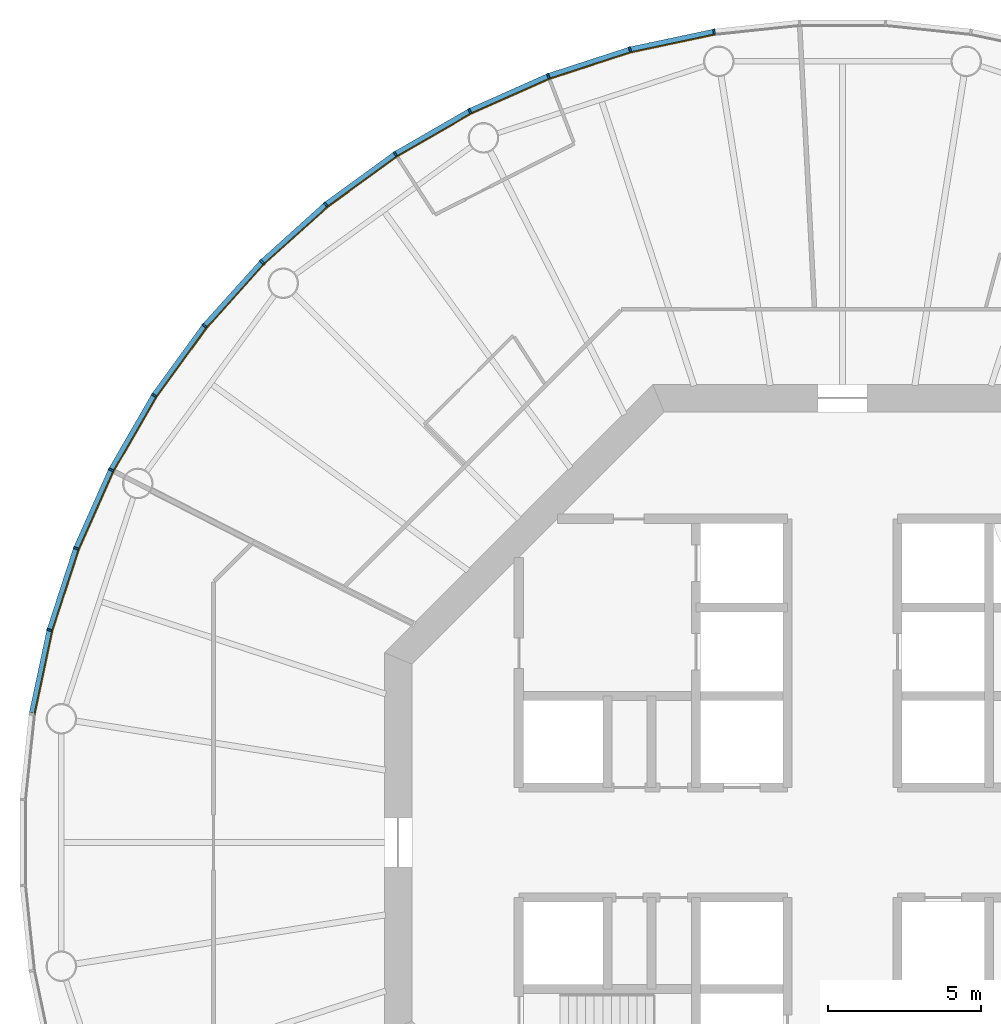
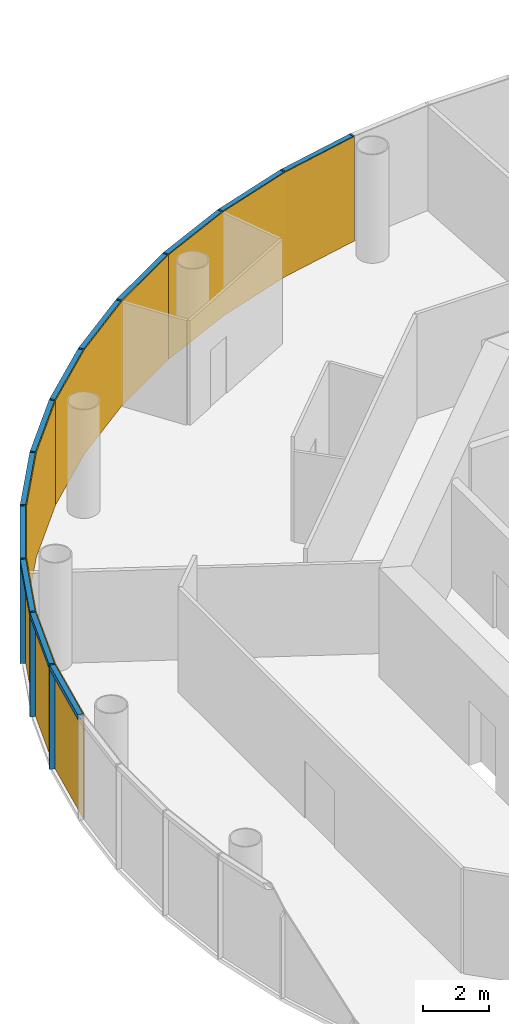
# One storey, part 9 of 12: 24 members, 4 curtain walls.
"""IFC4 building model written with IfcOpenShell, lengths in metres."""

import ifcopenshell
import ifcopenshell.guid

model = None  # the IFC model being written
_history = None  # IfcOwnerHistory: only IFC2X3 demands one
_inside = {}  # id of a spatial element -> (the spatial element, [elements in it])
_under = {}  # id of a project, library or spatial element -> (it, [spatial elements below it])
_declared = {}  # id of a project -> (the project, [libraries it declares])
_typed = {}  # id of a type object -> (the type object, [elements of that type])
_made_of = {}  # id of a material, layer set ... -> (it, [elements and type objects made of it])


def new_model(schema):
    """Start an empty IFC model of exactly this schema.

    Asked for "IFC4X3", IfcOpenShell would pick the latest addendum, in which some entities
    have other attributes; the version numbers below select the first issue.
    IFC2X3 requires an IfcOwnerHistory on every rooted entity: one is made here for all.
    """
    global model, _history
    if schema == "IFC4X3":
        model = ifcopenshell.file(schema_version=(4, 3, 0, 0))
    else:
        model = ifcopenshell.file(schema=schema)
    _inside.clear()
    _under.clear()
    _declared.clear()
    _typed.clear()
    _made_of.clear()
    _history = None
    if model.schema == "IFC2X3":
        org = make("IfcOrganization", Name="unknown")
        user = make(
            "IfcPersonAndOrganization",
            ThePerson=make("IfcPerson", FamilyName="unknown"),
            TheOrganization=org,
        )
        app = make(
            "IfcApplication",
            ApplicationDeveloper=org,
            Version="unknown",
            ApplicationFullName="unknown",
            ApplicationIdentifier="unknown",
        )
        _history = make(
            "IfcOwnerHistory",
            OwningUser=user,
            OwningApplication=app,
            ChangeAction="ADDED",
            CreationDate=0,
        )
    return model


def make(cls, **values):
    """One entity of the class cls with the attributes given. An attribute that is None is left unset."""
    return model.create_entity(
        cls, **{name: value for name, value in values.items() if value is not None}
    )


def rooted(cls, **values):
    """An entity with a GlobalId (a new one), such as an element, a storey or a relation."""
    return make(cls, GlobalId=ifcopenshell.guid.new(), OwnerHistory=_history, **values)


def si_unit(unit_type, name, prefix=None):
    """IfcSIUnit, for example si_unit("LENGTHUNIT", "METRE", prefix="MILLI")."""
    return make("IfcSIUnit", UnitType=unit_type, Prefix=prefix, Name=name)


def assignment(units):
    """IfcUnitAssignment: the units of a project."""
    return None if units is None else make("IfcUnitAssignment", Units=units)


def point(xyz):
    """IfcCartesianPoint."""
    return None if xyz is None else make("IfcCartesianPoint", Coordinates=xyz)


def direction(xyz):
    """IfcDirection."""
    return None if xyz is None else make("IfcDirection", DirectionRatios=xyz)


def frame(location, z_axis=None, x_axis=None):
    """IfcAxis2Placement3D, a coordinate frame: its origin and axes. An axis left out is left unset."""
    return make(
        "IfcAxis2Placement3D",
        Location=point(location),
        Axis=direction(z_axis),
        RefDirection=direction(x_axis),
    )


def frame_2d(location, x_axis=None):
    """IfcAxis2Placement2D, a coordinate frame in the plane: its origin and x axis."""
    return make(
        "IfcAxis2Placement2D", Location=point(location), RefDirection=direction(x_axis)
    )


def origin():
    """The frame at (0, 0, 0) with its axes left unset."""
    return frame((0.0, 0.0, 0.0))


def origin_2d():
    """The frame at (0, 0) in the plane with its x axis left unset."""
    return frame_2d((0.0, 0.0))


def place(relative_to, where):
    """IfcLocalPlacement: puts the frame where relative to a parent placement (None: the world)."""
    return make(
        "IfcLocalPlacement", PlacementRelTo=relative_to, RelativePlacement=where
    )


def context(
    kind, dimensions, precision=None, world=None, true_north=None, identifier=None
):
    """IfcGeometricRepresentationContext, for example the 3D "Model" context."""
    return make(
        "IfcGeometricRepresentationContext",
        ContextIdentifier=identifier,
        ContextType=kind,
        CoordinateSpaceDimension=dimensions,
        Precision=precision,
        WorldCoordinateSystem=world,
        TrueNorth=true_north,
    )


def subcontext(parent, identifier, kind, view, scale=None):
    """IfcGeometricRepresentationSubContext, for example "Body" below "Model"."""
    return make(
        "IfcGeometricRepresentationSubContext",
        ContextIdentifier=identifier,
        ContextType=kind,
        ParentContext=parent,
        TargetScale=scale,
        TargetView=view,
    )


def project(units=None, contexts=None):
    """IfcProject with its units and contexts."""
    return rooted(
        "IfcProject",
        Name="project",
        RepresentationContexts=contexts,
        UnitsInContext=assignment(units),
    )


def spatial(cls, under=None, at=None, **own):
    """A site, building, storey or space (cls), placed at a placement, below another one or the project."""
    s = rooted(cls, ObjectPlacement=at, **own)
    if under is not None:
        _under.setdefault(under.id(), (under, []))[1].append(s)
    return s


def polyline(points):
    """IfcPolyline through the points."""
    return make("IfcPolyline", Points=[point(p) for p in points])


def profile(cls, at=None, kind="AREA", **sizes):
    """A parametric profile (cls). Its sizes go by their IFC names, for example OverallWidth=200.0."""
    return make(cls, ProfileType=kind, Position=at, **sizes)


def rectangle(**sizes):
    """IfcRectangleProfileDef."""
    return profile("IfcRectangleProfileDef", **sizes)


def outline(outer, holes=None, kind="AREA"):
    """IfcArbitraryClosedProfileDef: a profile drawn as a closed curve; with holes, ...WithVoids."""
    if holes is None:
        return make("IfcArbitraryClosedProfileDef", ProfileType=kind, OuterCurve=outer)
    return make(
        "IfcArbitraryProfileDefWithVoids",
        ProfileType=kind,
        OuterCurve=outer,
        InnerCurves=holes,
    )


def extrude(swept, where, along, depth):
    """IfcExtrudedAreaSolid: the profile swept, set in the frame where, extruded along a direction by depth."""
    return make(
        "IfcExtrudedAreaSolid",
        SweptArea=swept,
        Position=where,
        ExtrudedDirection=direction(along),
        Depth=depth,
    )


def shape(context_of_items, identifier, shape_type, items):
    """IfcShapeRepresentation: the items that make up one representation, for example the "Body"."""
    return make(
        "IfcShapeRepresentation",
        ContextOfItems=context_of_items,
        RepresentationIdentifier=identifier,
        RepresentationType=shape_type,
        Items=items,
    )


def material(Name=None, Category=None):
    """IfcMaterial."""
    return make("IfcMaterial", Name=Name, Category=Category)


def layer(
    of_material, thickness, ventilated=None, Name=None, Category=None, Priority=None
):
    """IfcMaterialLayer: one layer of a wall or slab, of a material (None: an air gap)."""
    return make(
        "IfcMaterialLayer",
        Material=of_material,
        LayerThickness=thickness,
        IsVentilated=ventilated,
        Name=Name,
        Category=Category,
        Priority=Priority,
    )


def layer_set(layers, Name=None):
    """IfcMaterialLayerSet."""
    return make("IfcMaterialLayerSet", MaterialLayers=layers, LayerSetName=Name)


def material_profile(
    of_material, cross_section, Name=None, Category=None, Priority=None
):
    """IfcMaterialProfile: a cross section and its material."""
    return make(
        "IfcMaterialProfile",
        Name=Name,
        Material=of_material,
        Profile=cross_section,
        Priority=Priority,
        Category=Category,
    )


def profile_set(profiles, Name=None, composite=None):
    """IfcMaterialProfileSet."""
    return make(
        "IfcMaterialProfileSet",
        Name=Name,
        MaterialProfiles=profiles,
        CompositeProfile=composite,
    )


def made_of(thing, what):
    """Note that an element or type object is made of a material, layer set ...; save() writes the relation."""
    if what is not None:
        _made_of.setdefault(what.id(), (what, []))[1].append(thing)
    return thing


def type_object(cls, material=None, **own):
    """A type object (cls), such as IfcWallType, which elements share."""
    return made_of(rooted(cls, **own), material)


def element(
    cls,
    number,
    at=None,
    inside=None,
    cuts=None,
    type_object=None,
    material=None,
    context=None,
    identifier="Body",
    shape_type=None,
    held_by="IfcProductDefinitionShape",
    body=None,
    shapes=None,
    **own,
):
    """One element of the class cls, such as IfcWall. Its Tag is "e" and its number.

    at: its placement. inside: the storey or other place that contains it. cuts: it is an
    opening in that element (IfcRelVoidsElement). A single representation is given by context,
    identifier, shape_type and body (its items); several are given by shapes. held_by: the class
    of the entity that holds the representations. save() writes the other relations.
    """
    e = rooted(cls, Tag="e%d" % number, ObjectPlacement=at, **own)
    if body is not None:
        shapes = [shape(context, identifier, shape_type, body)]
    if shapes is not None:
        e.Representation = make(held_by, Representations=shapes)
    if inside is not None:
        _inside.setdefault(inside.id(), (inside, []))[1].append(e)
    if cuts is not None:
        rooted(
            "IfcRelVoidsElement", RelatingBuildingElement=cuts, RelatedOpeningElement=e
        )
    if type_object is not None:
        _typed.setdefault(type_object.id(), (type_object, []))[1].append(e)
    return made_of(e, material)


def aggregate(whole, parts):
    """IfcRelAggregates: a whole, such as a stair, and the parts it consists of."""
    return rooted("IfcRelAggregates", RelatingObject=whole, RelatedObjects=parts)


def save(model, path):
    """Write the relations noted so far, then the file.

    IfcRelAggregates (storeys below a building ...), IfcRelContainedInSpatialStructure (elements
    in a storey), IfcRelDefinesByType, IfcRelAssociatesMaterial and IfcRelDeclares: one each for
    every whole, place, type object, material and project.
    """
    for whole, parts in _under.values():
        aggregate(whole, parts)
    for where, things in _inside.values():
        rooted(
            "IfcRelContainedInSpatialStructure",
            RelatedElements=things,
            RelatingStructure=where,
        )
    for kind, things in _typed.values():
        rooted("IfcRelDefinesByType", RelatedObjects=things, RelatingType=kind)
    for what, things in _made_of.values():
        rooted("IfcRelAssociatesMaterial", RelatedObjects=things, RelatingMaterial=what)
    for by, libraries in _declared.values():
        rooted("IfcRelDeclares", RelatingContext=by, RelatedDefinitions=libraries)
    model.write(path)


model = new_model("IFC4")

# Units and contexts
model_context = context("Model", 3, precision=1e-05, world=origin(), true_north=direction((0.0, 1.0)))
body_context = subcontext(model_context, "Body", "Model", "MODEL_VIEW")
ifc_project = project(units=[si_unit("LENGTHUNIT", "METRE"), si_unit("AREAUNIT", "SQUARE_METRE"), si_unit("VOLUMEUNIT", "CUBIC_METRE"), si_unit("PLANEANGLEUNIT", "RADIAN"), si_unit("MASSUNIT", "GRAM", prefix="KILO")], contexts=[model_context])

# Member
ifc_material_1 = material(Name="Anodised aluminium", Category="aluminium")
ifc_material_profile_1 = material_profile(ifc_material_1, rectangle(XDim=0.06005859375, YDim=0.169921875, at=origin_2d()), Name="Mullion 60 x 170 mm anodised aluminium")
ifc_profile_set_1 = profile_set([ifc_material_profile_1], Name="Anodised aluminium")
member_type_1 = type_object("IfcMemberType", Name="Mullion 60 x 170 mm anodised aluminium", PredefinedType="MULLION", material=ifc_profile_set_1)
site_placement = place(None, origin())
building_placement = place(site_placement, origin())
storey_placement = place(building_placement, frame((0.0, 0.0, 242.0)))
member_1_placement = place(storey_placement, frame((85.794189453125, 106.553955078125, 0.0), z_axis=(0.0, 0.0, 1.0), x_axis=(-0.987688340595, -0.15643446504, 0.0)))
member_1 = element("IfcMember", 1, at=member_1_placement, type_object=member_type_1, Name="MULLION L55-15", PredefinedType="MULLION", context=body_context, shape_type="SweptSolid", body=[
    extrude(rectangle(XDim=0.06005859375, YDim=0.169921875, at=origin_2d()), origin(), (0.0, 0.0, 1.0), 3.85009765625),
])

member_2_placement = place(storey_placement, frame((83.041748046875, 105.968994140625, 0.0), z_axis=(0.0, 0.0, 1.0), x_axis=(-0.965925826289, -0.258819045103, 0.0)))
member_2 = element("IfcMember", 2, at=member_2_placement, type_object=member_type_1, Name="MULLION L55-16", PredefinedType="MULLION", context=body_context, shape_type="SweptSolid", body=[
    extrude(rectangle(XDim=0.06005859375, YDim=0.169921875, at=origin_2d()), origin(), (0.0, 0.0, 1.0), 3.85009765625),
])

member_3_placement = place(storey_placement, frame((80.365234375, 105.099365234375, 0.0), z_axis=(0.0, 0.0, 1.0), x_axis=(-0.933580426497, -0.358367949545, 0.0)))
member_3 = element("IfcMember", 3, at=member_3_placement, type_object=member_type_1, Name="MULLION L55-17", PredefinedType="MULLION", context=body_context, shape_type="SweptSolid", body=[
    extrude(rectangle(XDim=0.06005859375, YDim=0.169921875, at=origin_2d()), origin(), (0.0, 0.0, 1.0), 3.85009765625),
])

member_4_placement = place(storey_placement, frame((77.79443359375, 103.95458984375, 0.0), z_axis=(0.0, 0.0, 1.0), x_axis=(-0.891006524188, -0.45399049974, 0.0)))
member_4 = element("IfcMember", 4, at=member_4_placement, type_object=member_type_1, Name="MULLION L55-18", PredefinedType="MULLION", context=body_context, shape_type="SweptSolid", body=[
    extrude(rectangle(XDim=0.06005859375, YDim=0.169921875, at=origin_2d()), origin(), (0.0, 0.0, 1.0), 3.85009765625),
])

member_5_placement = place(storey_placement, frame((75.357421875, 102.547607421875, 0.0), z_axis=(0.0, 0.0, 1.0), x_axis=(-0.838670567945, -0.544639035015, 0.0)))
member_5 = element("IfcMember", 5, at=member_5_placement, type_object=member_type_1, Name="MULLION L55-19", PredefinedType="MULLION", context=body_context, shape_type="SweptSolid", body=[
    extrude(rectangle(XDim=0.06005859375, YDim=0.169921875, at=origin_2d()), origin(), (0.0, 0.0, 1.0), 3.85009765625),
])

member_6_placement = place(storey_placement, frame((73.080810546875, 100.8935546875, 0.0), z_axis=(0.0, 0.0, 1.0), x_axis=(-0.777145961457, -0.62932039105, 0.0)))
member_6 = element("IfcMember", 6, at=member_6_placement, type_object=member_type_1, Name="MULLION L55-20", PredefinedType="MULLION", context=body_context, shape_type="SweptSolid", body=[
    extrude(rectangle(XDim=0.06005859375, YDim=0.169921875, at=origin_2d()), origin(), (0.0, 0.0, 1.0), 3.85009765625),
])

member_7_placement = place(storey_placement, frame((70.989501953125, 99.010498046875, 0.0), z_axis=(0.0, 0.0, 1.0), x_axis=(-0.707106781187, -0.707106781187, 0.0)))
member_7 = element("IfcMember", 7, at=member_7_placement, type_object=member_type_1, Name="MULLION L55-21", PredefinedType="MULLION", context=body_context, shape_type="SweptSolid", body=[
    extrude(rectangle(XDim=0.06005859375, YDim=0.169921875, at=origin_2d()), origin(), (0.0, 0.0, 1.0), 3.85009765625),
])

member_8_placement = place(storey_placement, frame((69.1064453125, 96.919189453125, 0.0), z_axis=(0.0, 0.0, 1.0), x_axis=(-0.62932039105, -0.777145961457, 0.0)))
member_8 = element("IfcMember", 8, at=member_8_placement, type_object=member_type_1, Name="MULLION L55-22", PredefinedType="MULLION", context=body_context, shape_type="SweptSolid", body=[
    extrude(rectangle(XDim=0.06005859375, YDim=0.169921875, at=origin_2d()), origin(), (0.0, 0.0, 1.0), 3.85009765625),
])

member_9_placement = place(storey_placement, frame((67.452392578125, 94.642578125, 0.0), z_axis=(0.0, 0.0, 1.0), x_axis=(-0.544639035015, -0.838670567945, 0.0)))
member_9 = element("IfcMember", 9, at=member_9_placement, type_object=member_type_1, Name="MULLION L55-23", PredefinedType="MULLION", context=body_context, shape_type="SweptSolid", body=[
    extrude(rectangle(XDim=0.06005859375, YDim=0.169921875, at=origin_2d()), origin(), (0.0, 0.0, 1.0), 3.85009765625),
])

member_10_placement = place(storey_placement, frame((66.04541015625, 92.20556640625, 0.0), z_axis=(0.0, 0.0, 1.0), x_axis=(-0.45399049974, -0.891006524188, 0.0)))
member_10 = element("IfcMember", 10, at=member_10_placement, type_object=member_type_1, Name="MULLION L55-24", PredefinedType="MULLION", context=body_context, shape_type="SweptSolid", body=[
    extrude(rectangle(XDim=0.06005859375, YDim=0.169921875, at=origin_2d()), origin(), (0.0, 0.0, 1.0), 3.85009765625),
])

member_11_placement = place(storey_placement, frame((64.900634765625, 89.634765625, 0.0), z_axis=(0.0, 0.0, 1.0), x_axis=(-0.358367949545, -0.933580426497, 0.0)))
member_11 = element("IfcMember", 11, at=member_11_placement, type_object=member_type_1, Name="MULLION L55-25", PredefinedType="MULLION", context=body_context, shape_type="SweptSolid", body=[
    extrude(rectangle(XDim=0.06005859375, YDim=0.169921875, at=origin_2d()), origin(), (0.0, 0.0, 1.0), 3.85009765625),
])

member_12_placement = place(storey_placement, frame((64.031005859375, 86.958251953125, 0.0), z_axis=(0.0, 0.0, 1.0), x_axis=(-0.258819045103, -0.965925826289, 0.0)))
member_12 = element("IfcMember", 12, at=member_12_placement, type_object=member_type_1, Name="MULLION L55-26", PredefinedType="MULLION", context=body_context, shape_type="SweptSolid", body=[
    extrude(rectangle(XDim=0.06005859375, YDim=0.169921875, at=origin_2d()), origin(), (0.0, 0.0, 1.0), 3.85009765625),
])

ifc_material_2 = material(Name="Anodised aluminium", Category="aluminium")
ifc_material_profile_2 = material_profile(ifc_material_2, rectangle(XDim=0.169921875, YDim=0.1650390625, at=origin_2d()), Name="Transom 165 x 170 mm anodised aluminium")
ifc_profile_set_2 = profile_set([ifc_material_profile_2], Name="Anodised aluminium")
member_type_2 = type_object("IfcMemberType", Name="Transom 165 x 170 mm anodised aluminium", PredefinedType="USERDEFINED", material=ifc_profile_set_2)
member_13_placement = place(storey_placement, frame((85.760498046875, 106.546875, 3.767578125), z_axis=(-0.97814212115, -0.207937468562, 0.0), x_axis=(0.207937468562, -0.97814212115, 0.0)))
member_13 = element("IfcMember", 13, at=member_13_placement, type_object=member_type_2, Name="TRANSOM L55-15", ObjectType="TRANSOM", PredefinedType="USERDEFINED", context=body_context, shape_type="SweptSolid", body=[
    extrude(rectangle(XDim=0.169921875, YDim=0.1650390625, at=origin_2d()), origin(), (0.0, 0.0, 1.0), 2.7451171875),
])

member_14_placement = place(storey_placement, frame((83.0087890625, 105.95849609375, 3.767578125), z_axis=(-0.951048445774, -0.309041831781, 0.0), x_axis=(0.309041831781, -0.951048445774, 0.0)))
member_14 = element("IfcMember", 14, at=member_14_placement, type_object=member_type_2, Name="TRANSOM L55-16", ObjectType="TRANSOM", PredefinedType="USERDEFINED", context=body_context, shape_type="SweptSolid", body=[
    extrude(rectangle(XDim=0.169921875, YDim=0.1650390625, at=origin_2d()), origin(), (0.0, 0.0, 1.0), 2.7451171875),
])

member_15_placement = place(storey_placement, frame((80.333740234375, 105.08544921875, 3.767578125), z_axis=(-0.913525267704, -0.406781987391, 0.0), x_axis=(0.406781987391, -0.913525267704, 0.0)))
member_15 = element("IfcMember", 15, at=member_15_placement, type_object=member_type_2, Name="TRANSOM L55-17", ObjectType="TRANSOM", PredefinedType="USERDEFINED", context=body_context, shape_type="SweptSolid", body=[
    extrude(rectangle(XDim=0.169921875, YDim=0.1650390625, at=origin_2d()), origin(), (0.0, 0.0, 1.0), 2.7451171875),
])

member_16_placement = place(storey_placement, frame((77.7646484375, 103.9375, 3.767578125), z_axis=(-0.866034527326, -0.49998419723, 0.0), x_axis=(0.49998419723, -0.866034527326, 0.0)))
member_16 = element("IfcMember", 16, at=member_16_placement, type_object=member_type_2, Name="TRANSOM L55-18", ObjectType="TRANSOM", PredefinedType="USERDEFINED", context=body_context, shape_type="SweptSolid", body=[
    extrude(rectangle(XDim=0.169921875, YDim=0.1650390625, at=origin_2d()), origin(), (0.0, 0.0, 1.0), 2.7451171875),
])

member_17_placement = place(storey_placement, frame((75.329345703125, 102.527587890625, 3.767578125), z_axis=(-0.808959086484, -0.587864947412, 0.0), x_axis=(0.587864947412, -0.808959086484, 0.0)))
member_17 = element("IfcMember", 17, at=member_17_placement, type_object=member_type_2, Name="TRANSOM L55-19", ObjectType="TRANSOM", PredefinedType="USERDEFINED", context=body_context, shape_type="SweptSolid", body=[
    extrude(rectangle(XDim=0.169921875, YDim=0.1650390625, at=origin_2d()), origin(), (0.0, 0.0, 1.0), 2.7451171875),
])

member_18_placement = place(storey_placement, frame((73.054931640625, 100.87060546875, 3.767578125), z_axis=(-0.743134927907, -0.669141598561, 0.0), x_axis=(0.669141598561, -0.743134927907, 0.0)))
member_18 = element("IfcMember", 18, at=member_18_placement, type_object=member_type_2, Name="TRANSOM L55-20", ObjectType="TRANSOM", PredefinedType="USERDEFINED", context=body_context, shape_type="SweptSolid", body=[
    extrude(rectangle(XDim=0.169921875, YDim=0.1650390625, at=origin_2d()), origin(), (0.0, 0.0, 1.0), 2.7451171875),
])

member_19_placement = place(storey_placement, frame((70.96630859375, 98.985107421875, 3.767578125), z_axis=(-0.669141598561, -0.743134927907, 0.0), x_axis=(0.743134927907, -0.669141598561, 0.0)))
member_19 = element("IfcMember", 19, at=member_19_placement, type_object=member_type_2, Name="TRANSOM L55-21", ObjectType="TRANSOM", PredefinedType="USERDEFINED", context=body_context, shape_type="SweptSolid", body=[
    extrude(rectangle(XDim=0.169921875, YDim=0.1650390625, at=origin_2d()), origin(), (0.0, 0.0, 1.0), 2.7451171875),
])

member_20_placement = place(storey_placement, frame((69.086181640625, 96.891357421875, 3.767578125), z_axis=(-0.587864947412, -0.808959086484, 0.0), x_axis=(0.808959086484, -0.587864947412, 0.0)))
member_20 = element("IfcMember", 20, at=member_20_placement, type_object=member_type_2, Name="TRANSOM L55-22", ObjectType="TRANSOM", PredefinedType="USERDEFINED", context=body_context, shape_type="SweptSolid", body=[
    extrude(rectangle(XDim=0.169921875, YDim=0.1650390625, at=origin_2d()), origin(), (0.0, 0.0, 1.0), 2.7451171875),
])

member_21_placement = place(storey_placement, frame((67.43505859375, 94.61279296875, 3.767578125), z_axis=(-0.49998419723, -0.866034527326, 0.0), x_axis=(0.866034527326, -0.49998419723, 0.0)))
member_21 = element("IfcMember", 21, at=member_21_placement, type_object=member_type_2, Name="TRANSOM L55-23", ObjectType="TRANSOM", PredefinedType="USERDEFINED", context=body_context, shape_type="SweptSolid", body=[
    extrude(rectangle(XDim=0.169921875, YDim=0.1650390625, at=origin_2d()), origin(), (0.0, 0.0, 1.0), 2.7451171875),
])

member_22_placement = place(storey_placement, frame((66.03125, 92.174072265625, 3.767578125), z_axis=(-0.406781987391, -0.913525267704, 0.0), x_axis=(0.913525267704, -0.406781987391, 0.0)))
member_22 = element("IfcMember", 22, at=member_22_placement, type_object=member_type_2, Name="TRANSOM L55-24", ObjectType="TRANSOM", PredefinedType="USERDEFINED", context=body_context, shape_type="SweptSolid", body=[
    extrude(rectangle(XDim=0.169921875, YDim=0.1650390625, at=origin_2d()), origin(), (0.0, 0.0, 1.0), 2.7451171875),
])

member_23_placement = place(storey_placement, frame((64.889892578125, 89.60205078125, 3.767578125), z_axis=(-0.309041831781, -0.951048445774, 0.0), x_axis=(0.951048445774, -0.309041831781, 0.0)))
member_23 = element("IfcMember", 23, at=member_23_placement, type_object=member_type_2, Name="TRANSOM L55-25", ObjectType="TRANSOM", PredefinedType="USERDEFINED", context=body_context, shape_type="SweptSolid", body=[
    extrude(rectangle(XDim=0.169921875, YDim=0.1650390625, at=origin_2d()), origin(), (0.0, 0.0, 1.0), 2.7451171875),
])

member_24_placement = place(storey_placement, frame((64.02392578125, 86.924560546875, 3.767578125), z_axis=(-0.207937468562, -0.97814212115, 0.0), x_axis=(0.97814212115, -0.207937468562, 0.0)))
member_24 = element("IfcMember", 24, at=member_24_placement, type_object=member_type_2, Name="TRANSOM L55-26", ObjectType="TRANSOM", PredefinedType="USERDEFINED", context=body_context, shape_type="SweptSolid", body=[
    extrude(rectangle(XDim=0.169921875, YDim=0.1650390625, at=origin_2d()), origin(), (0.0, 0.0, 1.0), 2.7451171875),
])

# Site, building, storey
site = spatial("IfcSite", under=ifc_project, at=site_placement, CompositionType="ELEMENT")
building = spatial("IfcBuilding", under=site, at=building_placement, Name="Entoto Ring Tower", CompositionType="ELEMENT")
storey = spatial("IfcBuildingStorey", under=building, at=storey_placement, Name="L55", CompositionType="ELEMENT", Elevation=242.0)

# Curtain wall
ifc_material_3 = material(Name="Clear low-iron glass", Category="glass")
ifc_layer = layer(ifc_material_3, 0.031982421875)
ifc_layer_set = layer_set([ifc_layer], Name="Clear low-iron glass")
curtain_wall_type = type_object("IfcCurtainWallType", Name="Curtain wall system CW4 glazing 32 mm", PredefinedType="NOTDEFINED", material=ifc_layer_set)
curtain_wall_1_placement = place(storey_placement, origin())
curtain_wall_1 = element("IfcCurtainWall", 25, at=curtain_wall_1_placement, inside=storey, type_object=curtain_wall_type, Name="CW4 L55-06", PredefinedType="NOTDEFINED", context=body_context, shape_type="SweptSolid", body=[
    extrude(outline(polyline([(85.8076171875, 106.469970703125), (83.063720703125, 105.88671875), (80.395751953125, 105.02001953125), (77.8330078125, 103.87890625), (77.84765625, 103.850341796875), (80.4072265625, 104.989990234375), (83.072021484375, 105.85595703125), (85.8125, 106.4384765625), (85.8076171875, 106.469970703125)])), origin(), (0.0, 0.0, 1.0), 3.85009765625),
])

aggregate(curtain_wall_1, [member_1, member_2, member_3, member_13, member_14, member_15])

curtain_wall_2_placement = place(storey_placement, origin())
curtain_wall_2 = element("IfcCurtainWall", 26, at=curtain_wall_2_placement, inside=storey, type_object=curtain_wall_type, Name="CW4 L55-07", PredefinedType="NOTDEFINED", context=body_context, shape_type="SweptSolid", body=[
    extrude(outline(polyline([(77.8330078125, 103.87890625), (75.403564453125, 102.476318359375), (73.13427734375, 100.827392578125), (71.049560546875, 98.950439453125), (71.072265625, 98.927734375), (73.154296875, 100.802490234375), (75.421142578125, 102.449462890625), (77.84765625, 103.850341796875), (77.8330078125, 103.87890625)])), origin(), (0.0, 0.0, 1.0), 3.85009765625),
])

aggregate(curtain_wall_2, [member_4, member_5, member_6, member_16, member_17, member_18])

curtain_wall_3_placement = place(storey_placement, origin())
curtain_wall_3 = element("IfcCurtainWall", 27, at=curtain_wall_3_placement, inside=storey, type_object=curtain_wall_type, Name="CW4 L55-08", PredefinedType="NOTDEFINED", context=body_context, shape_type="SweptSolid", body=[
    extrude(outline(polyline([(71.049560546875, 98.950439453125), (69.172607421875, 96.86572265625), (67.523681640625, 94.596435546875), (66.12109375, 92.1669921875), (66.149658203125, 92.15234375), (67.550537109375, 94.578857421875), (69.197509765625, 96.845703125), (71.072265625, 98.927734375), (71.049560546875, 98.950439453125)])), origin(), (0.0, 0.0, 1.0), 3.85009765625),
])

aggregate(curtain_wall_3, [member_7, member_8, member_9, member_19, member_20, member_21])

curtain_wall_4_placement = place(storey_placement, origin())
curtain_wall_4 = element("IfcCurtainWall", 28, at=curtain_wall_4_placement, inside=storey, type_object=curtain_wall_type, Name="CW4 L55-09", PredefinedType="NOTDEFINED", context=body_context, shape_type="SweptSolid", body=[
    extrude(outline(polyline([(66.12109375, 92.1669921875), (64.97998046875, 89.604248046875), (64.11328125, 86.936279296875), (63.530029296875, 84.1923828125), (63.5615234375, 84.1875), (64.14404296875, 86.927978515625), (65.010009765625, 89.5927734375), (66.149658203125, 92.15234375), (66.12109375, 92.1669921875)])), origin(), (0.0, 0.0, 1.0), 3.85009765625),
])

aggregate(curtain_wall_4, [member_10, member_11, member_12, member_22, member_23, member_24])

save(model, "model.ifc")
